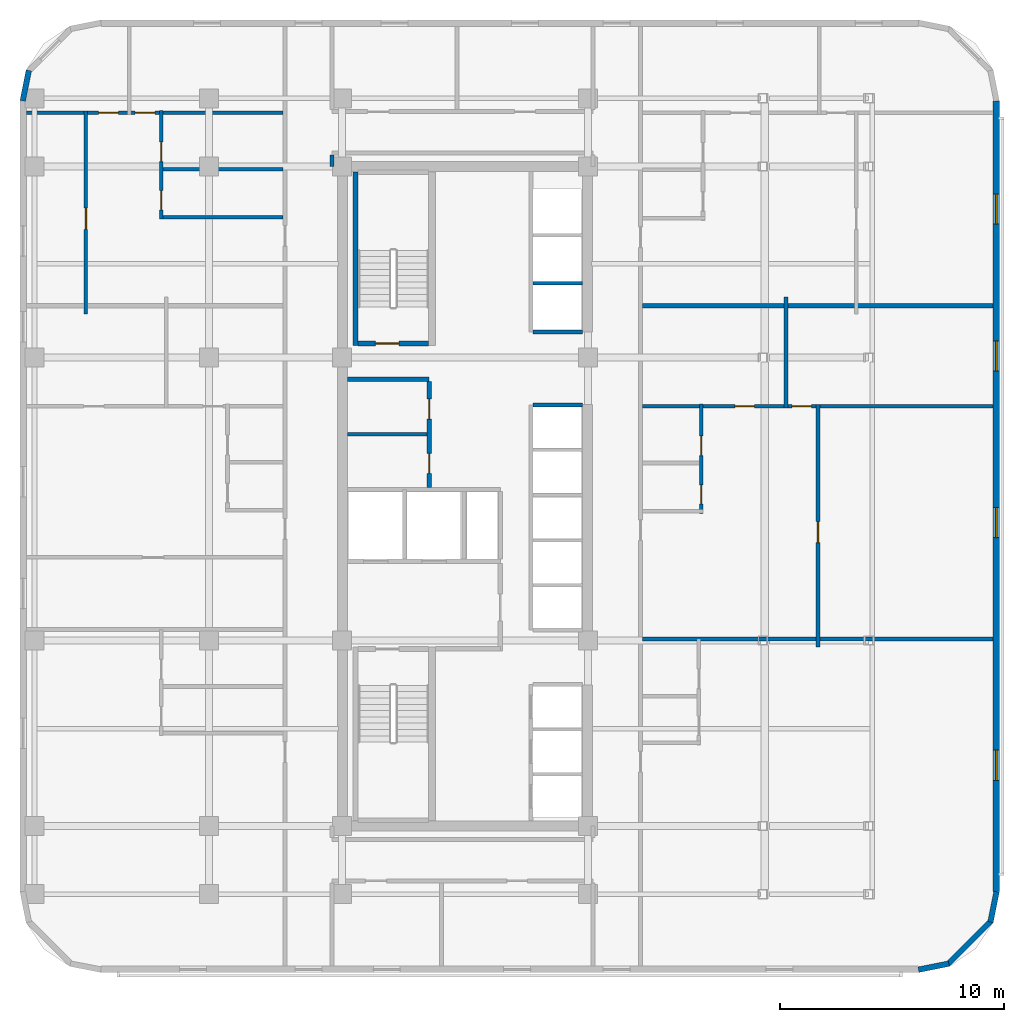
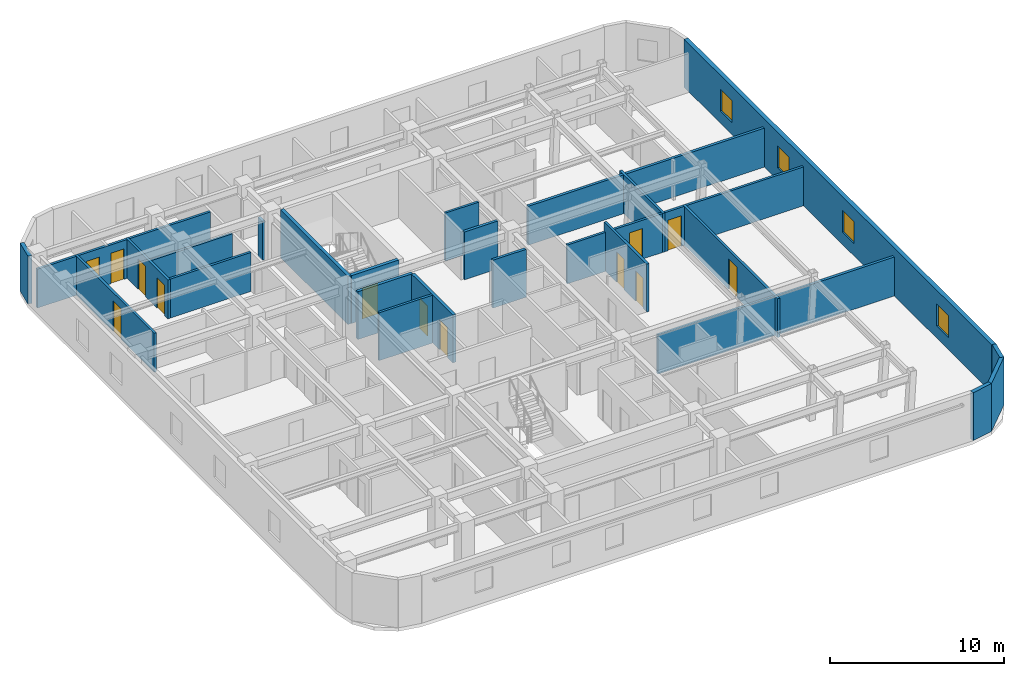
# One storey, part 5 of 11: 25 walls, 13 doors, 4 windows, 17 openings.
"""IFC4 building model written with IfcOpenShell, lengths in metres."""

from ifc_helpers import new_model, si_unit, direction, frame, frame_2d, origin, place, context, subcontext, project, spatial, rectangle, extrude, material, layer, layer_set, type_object, element, fill, save


model = new_model("IFC4")

# Units and contexts
model_context = context("Model", 3, precision=1e-05, world=origin(), true_north=direction((0.0, 1.0)))
body_context = subcontext(model_context, "Body", "Model", "MODEL_VIEW")
ifc_project = project(units=[si_unit("LENGTHUNIT", "METRE"), si_unit("AREAUNIT", "SQUARE_METRE"), si_unit("VOLUMEUNIT", "CUBIC_METRE"), si_unit("PLANEANGLEUNIT", "RADIAN"), si_unit("MASSUNIT", "GRAM", prefix="KILO")], contexts=[model_context])

# Site, building, storey
site_placement = place(None, origin())
site = spatial("IfcSite", under=ifc_project, at=site_placement, CompositionType="ELEMENT")
building_placement = place(site_placement, origin())
building = spatial("IfcBuilding", under=site, at=building_placement, Name="Ochreholt Gables", CompositionType="ELEMENT")
storey_placement = place(building_placement, frame((0.0, 0.0, 87.60009765625)))
storey = spatial("IfcBuildingStorey", under=building, at=storey_placement, Name="L22", CompositionType="ELEMENT", Elevation=87.60009765625)

# Wall, openings, windows
ifc_material_1 = material(Name="Precast concrete 40 MPa", Category="concrete")
ifc_layer_1 = layer(ifc_material_1, 0.280029296875, Name="Precast concrete 40 MPa")
ifc_layer_set_1 = layer_set([ifc_layer_1], Name="Precast concrete 40 MPa")
wall_type_1 = type_object("IfcWallType", Name="WALL-EXT-280", PredefinedType="SOLIDWALL", material=ifc_layer_set_1)
wall_1_placement = place(storey_placement, frame((53.4599609375, 6.320068359375, 0.0), z_axis=(0.0, 0.0, 1.0), x_axis=(0.0, 1.0, 0.0)))
wall_1 = element("IfcWall", 1, at=wall_1_placement, inside=storey, type_object=wall_type_1, Name="L22 East Exterior Wall", PredefinedType="SOLIDWALL", context=body_context, shape_type="SweptSolid", body=[
    extrude(rectangle(XDim=35.35986328125, YDim=0.280029296875, at=frame_2d((17.679931640625, 0.0))), origin(), (0.0, 0.0, 1.0), 3.35986328125),
])
opening_1_placement = place(wall_1_placement, frame((4.969970703125, 0.0, 0.85009765625)))
opening_1 = element("IfcOpeningElement", 2, at=opening_1_placement, cuts=wall_1, Name="Opening WN-8", PredefinedType="OPENING", context=body_context, shape_type="SweptSolid", body=[
    extrude(rectangle(XDim=1.35009765625, YDim=1.550048828125, at=frame_2d((0.675048828125, 0.77490234375))), frame((0.0, 0.14990234375, 0.0), z_axis=(0.0, -1.0, 0.0), x_axis=(1.0, 0.0, 0.0)), (0.0, 0.0, 1.0), 0.300048828125),
])
opening_2_placement = place(wall_1_placement, frame((15.824951171875, 0.0, 0.85009765625)))
opening_2 = element("IfcOpeningElement", 3, at=opening_2_placement, cuts=wall_1, Name="Opening WN-8", PredefinedType="OPENING", context=body_context, shape_type="SweptSolid", body=[
    extrude(rectangle(XDim=1.35009765625, YDim=1.550048828125, at=frame_2d((0.675048828125, 0.77490234375))), frame((0.0, 0.14990234375, 0.0), z_axis=(0.0, -1.0, 0.0), x_axis=(1.0, 0.0, 0.0)), (0.0, 0.0, 1.0), 0.300048828125),
])
opening_3_placement = place(wall_1_placement, frame((23.280029296875, 0.0, 0.85009765625)))
opening_3 = element("IfcOpeningElement", 4, at=opening_3_placement, cuts=wall_1, Name="Opening WN-8", PredefinedType="OPENING", context=body_context, shape_type="SweptSolid", body=[
    extrude(rectangle(XDim=1.35009765625, YDim=1.550048828125, at=frame_2d((0.675048828125, 0.77490234375))), frame((0.0, 0.14990234375, 0.0), z_axis=(0.0, -1.0, 0.0), x_axis=(1.0, 0.0, 0.0)), (0.0, 0.0, 1.0), 0.300048828125),
])
opening_4_placement = place(wall_1_placement, frame((29.844970703125, 0.0, 0.85009765625)))
opening_4 = element("IfcOpeningElement", 5, at=opening_4_placement, cuts=wall_1, Name="Opening WN-8", PredefinedType="OPENING", context=body_context, shape_type="SweptSolid", body=[
    extrude(rectangle(XDim=1.35009765625, YDim=1.550048828125, at=frame_2d((0.675048828125, 0.77490234375))), frame((0.0, 0.14990234375, 0.0), z_axis=(0.0, -1.0, 0.0), x_axis=(1.0, 0.0, 0.0)), (0.0, 0.0, 1.0), 0.300048828125),
])
ifc_material_2 = material(Name="Triple-Glazed Thermally Broken Aluminium Window", Category="aluminium")
window_type = type_object("IfcWindowType", Name="WIN-RES-1350", PartitioningType="SINGLE_PANEL", PredefinedType="WINDOW", material=ifc_material_2)
window_1_placement = place(opening_1_placement, origin())
window_1 = element("IfcWindow", 6, at=window_1_placement, inside=storey, type_object=window_type, Name="L22 Window W-EXT-E-L22-1", OverallHeight=1.550048828125, OverallWidth=1.35009765625, PartitioningType="SINGLE_PANEL", PredefinedType="WINDOW", context=body_context, shape_type="SweptSolid", body=[
    extrude(rectangle(XDim=1.35009765625, YDim=1.550048828125, at=frame_2d((0.675048828125, 0.77490234375))), frame((0.0, 0.030029296875, 0.0), z_axis=(0.0, -1.0, 0.0), x_axis=(1.0, 0.0, 0.0)), (0.0, 0.0, 1.0), 0.06005859375),
])
fill(opening_1, window_1)
window_2_placement = place(opening_2_placement, origin())
window_2 = element("IfcWindow", 7, at=window_2_placement, inside=storey, type_object=window_type, Name="L22 Window W-EXT-E-L22-2", OverallHeight=1.550048828125, OverallWidth=1.35009765625, PartitioningType="SINGLE_PANEL", PredefinedType="WINDOW", context=body_context, shape_type="SweptSolid", body=[
    extrude(rectangle(XDim=1.35009765625, YDim=1.550048828125, at=frame_2d((0.675048828125, 0.77490234375))), frame((0.0, 0.030029296875, 0.0), z_axis=(0.0, -1.0, 0.0), x_axis=(1.0, 0.0, 0.0)), (0.0, 0.0, 1.0), 0.06005859375),
])
fill(opening_2, window_2)
window_3_placement = place(opening_3_placement, origin())
window_3 = element("IfcWindow", 8, at=window_3_placement, inside=storey, type_object=window_type, Name="L22 Window W-EXT-E-L22-3", OverallHeight=1.550048828125, OverallWidth=1.35009765625, PartitioningType="SINGLE_PANEL", PredefinedType="WINDOW", context=body_context, shape_type="SweptSolid", body=[
    extrude(rectangle(XDim=1.35009765625, YDim=1.550048828125, at=frame_2d((0.675048828125, 0.77490234375))), frame((0.0, 0.030029296875, 0.0), z_axis=(0.0, -1.0, 0.0), x_axis=(1.0, 0.0, 0.0)), (0.0, 0.0, 1.0), 0.06005859375),
])
fill(opening_3, window_3)
window_4_placement = place(opening_4_placement, origin())
window_4 = element("IfcWindow", 9, at=window_4_placement, inside=storey, type_object=window_type, Name="L22 Window W-EXT-E-L22-4", OverallHeight=1.550048828125, OverallWidth=1.35009765625, PartitioningType="SINGLE_PANEL", PredefinedType="WINDOW", context=body_context, shape_type="SweptSolid", body=[
    extrude(rectangle(XDim=1.35009765625, YDim=1.550048828125, at=frame_2d((0.675048828125, 0.77490234375))), frame((0.0, 0.030029296875, 0.0), z_axis=(0.0, -1.0, 0.0), x_axis=(1.0, 0.0, 0.0)), (0.0, 0.0, 1.0), 0.06005859375),
])
fill(opening_4, window_4)

# Walls
ifc_layer_2 = layer(ifc_material_1, 0.25, Name="Precast concrete 40 MPa")
ifc_layer_set_2 = layer_set([ifc_layer_2], Name="Precast concrete 40 MPa")
wall_type_2 = type_object("IfcWallType", Name="WALL-EXT-CNR", PredefinedType="SOLIDWALL", material=ifc_layer_set_2)
wall_2_placement = place(storey_placement, frame((49.9833984375, 2.82421875, 0.0), z_axis=(0.0, 0.0, 1.0), x_axis=(0.980809899341, 0.19496651342, 0.0)))
element("IfcWall", 10, at=wall_2_placement, inside=storey, type_object=wall_type_2, Name="L22 Rounded Corner Wall SE-1", PredefinedType="SOLIDWALL", context=body_context, shape_type="SweptSolid", body=[
    extrude(rectangle(XDim=1.388671875, YDim=0.25, at=frame_2d((0.6943359375, 0.0))), origin(), (0.0, 0.0, 1.0), 3.35986328125),
])
wall_3_placement = place(storey_placement, frame((51.294921875, 3.068115234375, 0.0), z_axis=(0.0, 0.0, 1.0), x_axis=(0.707151344399, 0.707062215165, 0.0)))
element("IfcWall", 11, at=wall_3_placement, inside=storey, type_object=wall_type_2, Name="L22 Rounded Corner Wall SE-2", PredefinedType="SOLIDWALL", context=body_context, shape_type="SweptSolid", body=[
    extrude(rectangle(XDim=2.7392578125, YDim=0.25, at=frame_2d((1.36962890625, 0.0))), origin(), (0.0, 0.0, 1.0), 3.35986328125),
])
for number, where, z_axis, x_axis, name in (
    (12, (53.205078125, 4.95458984375, 0.0), (0.0, 0.0, 1.0), (0.195000137217, 0.980803214965, 0.0), "L22 Rounded Corner Wall SE-3"),
    (13, (10.195068359375, 43.04541015625, 0.0), (0.0, 0.0, 1.0), (-0.195000137217, -0.980803214965, 0.0), "L22 Rounded Corner Wall NW-3"),
):
    element("IfcWall", number, at=place(storey_placement, frame(where, z_axis=z_axis, x_axis=x_axis)), inside=storey, type_object=wall_type_2, Name=name, PredefinedType="SOLIDWALL", context=body_context, shape_type="SweptSolid", body=[
        extrude(rectangle(XDim=1.388427734375, YDim=0.25, at=frame_2d((0.6943359375, 0.0))), origin(), (0.0, 0.0, 1.0), 3.35986328125),
    ])
ifc_material_3 = material(Name="Concrete 40 MPa", Category="concrete")
ifc_layer_3 = layer(ifc_material_3, 0.199951171875, Name="Concrete 40 MPa")
ifc_layer_set_3 = layer_set([ifc_layer_3], Name="Concrete 40 MPa")
wall_type_3 = type_object("IfcWallType", Name="WALL-INT-CF200", PredefinedType="STANDARD", material=ifc_layer_set_3)
wall_4_placement = place(storey_placement, frame((24.449951171875, 29.239990234375, 0.0), z_axis=(0.0, 0.0, 1.0), x_axis=(1.0, 0.0, 0.0)))
element("IfcWall", 14, at=wall_4_placement, inside=storey, type_object=wall_type_3, Name="L22 Interior Wall WI-SRVN-L22", PredefinedType="STANDARD", context=body_context, shape_type="SweptSolid", body=[
    extrude(rectangle(XDim=3.650146484375, YDim=0.199951171875, at=frame_2d((1.8251953125, 0.0))), origin(), (0.0, 0.0, 1.0), 3.35986328125),
])

# Wall, openings, doors
wall_5_placement = place(storey_placement, frame((28.10009765625, 24.389892578125, 0.0), z_axis=(0.0, 0.0, 1.0), x_axis=(0.0, 1.0, 0.0)))
wall_5 = element("IfcWall", 15, at=wall_5_placement, inside=storey, type_object=wall_type_3, Name="L22 Interior Wall WI-SRVE-L22", PredefinedType="STANDARD", context=body_context, shape_type="SweptSolid", body=[
    extrude(rectangle(XDim=4.75, YDim=0.199951171875, at=frame_2d((2.375, 0.0))), origin(), (0.0, 0.0, 1.0), 3.35986328125),
])
opening_5_placement = place(wall_5_placement, frame((0.6298828125, 0.0, 0.0)))
opening_5 = element("IfcOpeningElement", 16, at=opening_5_placement, cuts=wall_5, Name="Opening D-SV1", PredefinedType="OPENING", context=body_context, shape_type="SweptSolid", body=[
    extrude(rectangle(XDim=0.89990234375, YDim=2.10009765625, at=frame_2d((0.449951171875, 1.050048828125))), frame((0.0, 0.10986328125, 0.0), z_axis=(0.0, -1.0, 0.0), x_axis=(1.0, 0.0, 0.0)), (0.0, 0.0, 1.0), 0.219970703125),
])
opening_6_placement = place(wall_5_placement, frame((3.06005859375, 0.0, 0.0)))
opening_6 = element("IfcOpeningElement", 17, at=opening_6_placement, cuts=wall_5, Name="Opening D-SV1", PredefinedType="OPENING", context=body_context, shape_type="SweptSolid", body=[
    extrude(rectangle(XDim=0.89990234375, YDim=2.10009765625, at=frame_2d((0.449951171875, 1.050048828125))), frame((0.0, 0.10986328125, 0.0), z_axis=(0.0, -1.0, 0.0), x_axis=(1.0, 0.0, 0.0)), (0.0, 0.0, 1.0), 0.219970703125),
])
ifc_material_4 = material(Name="Hollow Metal Steel", Category="steel")
door_type_1 = type_object("IfcDoorType", Name="DR-INT-SRV900", OperationType="NOTDEFINED", PredefinedType="DOOR", material=ifc_material_4)
door_1_placement = place(opening_5_placement, origin())
door_1 = element("IfcDoor", 18, at=door_1_placement, inside=storey, type_object=door_type_1, Name="L22 Door D-SRV1-L22", OperationType="SINGLE_SWING_LEFT", OverallHeight=2.10009765625, OverallWidth=0.89990234375, PredefinedType="DOOR", context=body_context, shape_type="SweptSolid", body=[
    extrude(rectangle(XDim=0.89990234375, YDim=2.10009765625, at=frame_2d((0.449951171875, 1.050048828125))), frame((0.0, 0.02490234375, 0.0), z_axis=(0.0, -1.0, 0.0), x_axis=(1.0, 0.0, 0.0)), (0.0, 0.0, 1.0), 0.050048828125),
])
fill(opening_5, door_1)
door_2_placement = place(opening_6_placement, origin())
door_2 = element("IfcDoor", 19, at=door_2_placement, inside=storey, type_object=door_type_1, Name="L22 Door D-SRV2-L22", OperationType="SINGLE_SWING_RIGHT", OverallHeight=2.10009765625, OverallWidth=0.89990234375, PredefinedType="DOOR", context=body_context, shape_type="SweptSolid", body=[
    extrude(rectangle(XDim=0.89990234375, YDim=2.10009765625, at=frame_2d((0.449951171875, 1.050048828125))), frame((0.0, 0.02490234375, 0.0), z_axis=(0.0, -1.0, 0.0), x_axis=(1.0, 0.0, 0.0)), (0.0, 0.0, 1.0), 0.050048828125),
])
fill(opening_6, door_2)

# Walls
ifc_material_5 = material(Name="Fire-Rated Gypsum Acoustic Partition", Category="gypsum")
ifc_layer_4 = layer(ifc_material_5, 0.179931640625, Name="Fire-Rated Gypsum Acoustic Partition")
ifc_layer_set_4 = layer_set([ifc_layer_4], Name="Fire-Rated Gypsum Acoustic Partition")
wall_type_4 = type_object("IfcWallType", Name="WALL-INT-CR180", PredefinedType="STANDARD", material=ifc_layer_set_4)
wall_6_placement = place(storey_placement, frame((23.75, 38.75, 0.0), z_axis=(0.0, 0.0, 1.0), x_axis=(0.0, 1.0, 0.0)))
element("IfcWall", 20, at=wall_6_placement, inside=storey, type_object=wall_type_4, Name="L22 Interior Wall WI-C1NWA2-L22", PredefinedType="STANDARD", context=body_context, shape_type="SweptSolid", body=[
    extrude(rectangle(XDim=0.510009765625, YDim=0.179931640625, at=frame_2d((0.2548828125, 0.0))), origin(), (0.0, 0.0, 1.0), 2.73095703125),
])
ifc_material_6 = material(Name="Double-Stud Acoustic Demising Wall", Category="gypsum")
ifc_layer_5 = layer(ifc_material_6, 0.179931640625, Name="Double-Stud Acoustic Demising Wall")
ifc_layer_set_5 = layer_set([ifc_layer_5], Name="Double-Stud Acoustic Demising Wall")
wall_type_5 = type_object("IfcWallType", Name="WALL-INT-DM180", PredefinedType="PARTITIONING", material=ifc_layer_set_5)
for number, where, z_axis, x_axis, name in (
    (21, (37.639892578125, 17.610107421875, 0.0), (0.0, 0.0, 1.0), (1.0, 0.0, 0.0), "L22 Interior Wall WI-UDE2-L22"),
    (22, (37.639892578125, 32.52001953125, 0.0), (0.0, 0.0, 1.0), (1.0, 0.0, 0.0), "L22 Interior Wall WI-UDE3-L22"),
):
    element("IfcWall", number, at=place(storey_placement, frame(where, z_axis=z_axis, x_axis=x_axis)), inside=storey, type_object=wall_type_5, Name=name, PredefinedType="PARTITIONING", context=body_context, shape_type="SweptSolid", body=[
        extrude(rectangle(XDim=15.68017578125, YDim=0.179931640625, at=frame_2d((7.840087890625, 0.0))), origin(), (0.0, 0.0, 1.0), 2.73095703125),
    ])

# Wall, openings, doors
ifc_material_7 = material(Name="Moisture-Resistant Plumbing Chase Wall", Category="gypsum")
ifc_layer_6 = layer(ifc_material_7, 0.159912109375, Name="Moisture-Resistant Plumbing Chase Wall")
ifc_layer_set_6 = layer_set([ifc_layer_6], Name="Moisture-Resistant Plumbing Chase Wall")
wall_type_6 = type_object("IfcWallType", Name="WALL-INT-PL160", PredefinedType="PLUMBINGWALL", material=ifc_layer_set_6)
wall_7_placement = place(storey_placement, frame((40.27197265625, 23.23291015625, 0.0), z_axis=(0.0, 0.0, 1.0), x_axis=(0.0, 1.0, 0.0)))
wall_7 = element("IfcWall", 23, at=wall_7_placement, inside=storey, type_object=wall_type_6, Name="L22 Interior Wall WU-L22E2-WX", PredefinedType="PLUMBINGWALL", context=body_context, shape_type="SweptSolid", body=[
    extrude(rectangle(XDim=4.88720703125, YDim=0.159912109375, at=frame_2d((2.443603515625, 0.0))), origin(), (0.0, 0.0, 1.0), 3.35986328125),
])
opening_7_placement = place(wall_7_placement, frame((0.419921875, 0.0, 0.0)))
opening_7 = element("IfcOpeningElement", 24, at=opening_7_placement, cuts=wall_7, Name="Opening D-BT1", PredefinedType="OPENING", context=body_context, shape_type="SweptSolid", body=[
    extrude(rectangle(XDim=0.860107421875, YDim=2.1201171875, at=frame_2d((0.43017578125, 1.06005859375))), frame((0.0, 0.08984375, 0.0), z_axis=(0.0, -1.0, 0.0), x_axis=(1.0, 0.0, 0.0)), (0.0, 0.0, 1.0), 0.179931640625),
])
opening_8_placement = place(wall_7_placement, frame((2.585205078125, 0.0, 0.0)))
opening_8 = element("IfcOpeningElement", 25, at=opening_8_placement, cuts=wall_7, Name="Opening D-GN2", PredefinedType="OPENING", context=body_context, shape_type="SweptSolid", body=[
    extrude(rectangle(XDim=0.8798828125, YDim=2.1201171875, at=frame_2d((0.43994140625, 1.06005859375))), frame((0.0, 0.08984375, 0.0), z_axis=(0.0, -1.0, 0.0), x_axis=(1.0, 0.0, 0.0)), (0.0, 0.0, 1.0), 0.179931640625),
])
ifc_material_8 = material(Name="Engineered Oak Timber", Category="wood")
door_type_2 = type_object("IfcDoorType", Name="DR-INT-BTH860", OperationType="NOTDEFINED", PredefinedType="DOOR", material=ifc_material_8)
door_3_placement = place(opening_7_placement, origin())
door_3 = element("IfcDoor", 26, at=door_3_placement, inside=storey, type_object=door_type_2, Name="L22 Door D-U-L22E2-BTH", OperationType="SINGLE_SWING_RIGHT", OverallHeight=2.1201171875, OverallWidth=0.860107421875, PredefinedType="DOOR", context=body_context, shape_type="SweptSolid", body=[
    extrude(rectangle(XDim=0.860107421875, YDim=2.1201171875, at=frame_2d((0.43017578125, 1.06005859375))), frame((0.0, 0.02490234375, 0.0), z_axis=(0.0, -1.0, 0.0), x_axis=(1.0, 0.0, 0.0)), (0.0, 0.0, 1.0), 0.050048828125),
])
fill(opening_7, door_3)
door_type_3 = type_object("IfcDoorType", Name="DR-INT-GEN880", OperationType="NOTDEFINED", PredefinedType="DOOR", material=ifc_material_8)
door_4_placement = place(opening_8_placement, origin())
door_4 = element("IfcDoor", 27, at=door_4_placement, inside=storey, type_object=door_type_3, Name="L22 Door D-U-L22E2-KIT", OperationType="SINGLE_SWING_LEFT", OverallHeight=2.1201171875, OverallWidth=0.8798828125, PredefinedType="DOOR", context=body_context, shape_type="SweptSolid", body=[
    extrude(rectangle(XDim=0.8798828125, YDim=2.1201171875, at=frame_2d((0.43994140625, 1.06005859375))), frame((0.0, 0.02490234375, 0.0), z_axis=(0.0, -1.0, 0.0), x_axis=(1.0, 0.0, 0.0)), (0.0, 0.0, 1.0), 0.050048828125),
])
fill(opening_8, door_4)

# Wall
wall_8_placement = place(storey_placement, frame((16.030029296875, 36.4814453125, 0.0), z_axis=(0.0, 0.0, 1.0), x_axis=(1.0, 0.0, 0.0)))
element("IfcWall", 28, at=wall_8_placement, inside=storey, type_object=wall_type_6, Name="L22 Interior Wall WU-L22W3-FYS", PredefinedType="PLUMBINGWALL", context=body_context, shape_type="SweptSolid", body=[
    extrude(rectangle(XDim=5.530029296875, YDim=0.159912109375, at=frame_2d((2.76513671875, 0.0))), origin(), (0.0, 0.0, 1.0), 2.73095703125),
])

# Wall, openings, doors
wall_9_placement = place(storey_placement, frame((16.110107421875, 36.3916015625, 0.0), z_axis=(0.0, 0.0, 1.0), x_axis=(0.0, 1.0, 0.0)))
wall_9 = element("IfcWall", 29, at=wall_9_placement, inside=storey, type_object=wall_type_6, Name="L22 Interior Wall WU-L22W3-WX", PredefinedType="PLUMBINGWALL", context=body_context, shape_type="SweptSolid", body=[
    extrude(rectangle(XDim=4.8583984375, YDim=0.159912109375, at=frame_2d((2.42919921875, 0.0))), origin(), (0.0, 0.0, 1.0), 2.73095703125),
])
opening_9_placement = place(wall_9_placement, frame((0.419921875, 0.0, 0.0)))
opening_9 = element("IfcOpeningElement", 30, at=opening_9_placement, cuts=wall_9, Name="Opening D-BT1", PredefinedType="OPENING", context=body_context, shape_type="SweptSolid", body=[
    extrude(rectangle(XDim=0.860107421875, YDim=2.1201171875, at=frame_2d((0.43017578125, 1.06005859375))), frame((0.0, 0.08984375, 0.0), z_axis=(0.0, -1.0, 0.0), x_axis=(1.0, 0.0, 0.0)), (0.0, 0.0, 1.0), 0.179931640625),
])
opening_10_placement = place(wall_9_placement, frame((2.572021484375, 0.0, 0.0)))
opening_10 = element("IfcOpeningElement", 31, at=opening_10_placement, cuts=wall_9, Name="Opening D-GN2", PredefinedType="OPENING", context=body_context, shape_type="SweptSolid", body=[
    extrude(rectangle(XDim=0.8798828125, YDim=2.1201171875, at=frame_2d((0.43994140625, 1.06005859375))), frame((0.0, 0.08984375, 0.0), z_axis=(0.0, -1.0, 0.0), x_axis=(1.0, 0.0, 0.0)), (0.0, 0.0, 1.0), 0.179931640625),
])
door_5_placement = place(opening_9_placement, origin())
door_5 = element("IfcDoor", 32, at=door_5_placement, inside=storey, type_object=door_type_2, Name="L22 Door D-U-L22W3-BTH", OperationType="SINGLE_SWING_RIGHT", OverallHeight=2.1201171875, OverallWidth=0.860107421875, PredefinedType="DOOR", context=body_context, shape_type="SweptSolid", body=[
    extrude(rectangle(XDim=0.860107421875, YDim=2.1201171875, at=frame_2d((0.43017578125, 1.06005859375))), frame((0.0, 0.02490234375, 0.0), z_axis=(0.0, -1.0, 0.0), x_axis=(1.0, 0.0, 0.0)), (0.0, 0.0, 1.0), 0.050048828125),
])
fill(opening_9, door_5)
door_6_placement = place(opening_10_placement, origin())
door_6 = element("IfcDoor", 33, at=door_6_placement, inside=storey, type_object=door_type_3, Name="L22 Door D-U-L22W3-KIT", OperationType="SINGLE_SWING_LEFT", OverallHeight=2.1201171875, OverallWidth=0.8798828125, PredefinedType="DOOR", context=body_context, shape_type="SweptSolid", body=[
    extrude(rectangle(XDim=0.8798828125, YDim=2.1201171875, at=frame_2d((0.43994140625, 1.06005859375))), frame((0.0, 0.02490234375, 0.0), z_axis=(0.0, -1.0, 0.0), x_axis=(1.0, 0.0, 0.0)), (0.0, 0.0, 1.0), 0.050048828125),
])
fill(opening_10, door_6)

# Walls
wall_10_placement = place(storey_placement, frame((16.18994140625, 38.633544921875, 0.0), z_axis=(0.0, 0.0, 1.0), x_axis=(1.0, 0.0, 0.0)))
element("IfcWall", 34, at=wall_10_placement, inside=storey, type_object=wall_type_6, Name="L22 Interior Wall WU-L22W3-WK", PredefinedType="PLUMBINGWALL", context=body_context, shape_type="SweptSolid", body=[
    extrude(rectangle(XDim=5.3701171875, YDim=0.159912109375, at=frame_2d((2.68505859375, 0.0))), origin(), (0.0, 0.0, 1.0), 2.73095703125),
])
ifc_material_9 = material(Name="Gypsum Acoustic Stud Partition", Category="gypsum")
ifc_layer_7 = layer(ifc_material_9, 0.159912109375, Name="Gypsum Acoustic Stud Partition")
ifc_layer_set_7 = layer_set([ifc_layer_7], Name="Gypsum Acoustic Stud Partition")
wall_type_7 = type_object("IfcWallType", Name="WALL-INT-PT160", PredefinedType="PARTITIONING", material=ifc_layer_set_7)
wall_11_placement = place(storey_placement, frame((24.449951171875, 26.780029296875, 0.0), z_axis=(0.0, 0.0, 1.0), x_axis=(1.0, 0.0, 0.0)))
element("IfcWall", 35, at=wall_11_placement, inside=storey, type_object=wall_type_7, Name="L22 Interior Wall WI-SRVP1-L22", PredefinedType="PARTITIONING", context=body_context, shape_type="SweptSolid", body=[
    extrude(rectangle(XDim=3.550048828125, YDim=0.159912109375, at=frame_2d((1.77490234375, 0.0))), origin(), (0.0, 0.0, 1.0), 3.35986328125),
])

# Wall, openings, doors
wall_12_placement = place(storey_placement, frame((37.639892578125, 28.030029296875, 0.0), z_axis=(0.0, 0.0, 1.0), x_axis=(1.0, 0.0, 0.0)))
wall_12 = element("IfcWall", 36, at=wall_12_placement, inside=storey, type_object=wall_type_7, Name="L22 Interior Wall WU-L22E2-MN", PredefinedType="PARTITIONING", context=body_context, shape_type="SweptSolid", body=[
    extrude(rectangle(XDim=15.68017578125, YDim=0.159912109375, at=frame_2d((7.840087890625, 0.0))), origin(), (0.0, 0.0, 1.0), 2.73095703125),
])
opening_11_placement = place(wall_12_placement, frame((4.131103515625, 0.0, 0.0)))
opening_11 = element("IfcOpeningElement", 37, at=opening_11_placement, cuts=wall_12, Name="Opening D-BD2", PredefinedType="OPENING", context=body_context, shape_type="SweptSolid", body=[
    extrude(rectangle(XDim=0.8798828125, YDim=2.139892578125, at=frame_2d((0.43994140625, 1.06982421875))), frame((0.0, 0.08984375, 0.0), z_axis=(0.0, -1.0, 0.0), x_axis=(1.0, 0.0, 0.0)), (0.0, 0.0, 1.0), 0.179931640625),
])
opening_12_placement = place(wall_12_placement, frame((6.6904296875, 0.0, 0.0)))
opening_12 = element("IfcOpeningElement", 38, at=opening_12_placement, cuts=wall_12, Name="Opening D-BD2", PredefinedType="OPENING", context=body_context, shape_type="SweptSolid", body=[
    extrude(rectangle(XDim=0.8798828125, YDim=2.139892578125, at=frame_2d((0.43994140625, 1.06982421875))), frame((0.0, 0.08984375, 0.0), z_axis=(0.0, -1.0, 0.0), x_axis=(1.0, 0.0, 0.0)), (0.0, 0.0, 1.0), 0.179931640625),
])
door_type_4 = type_object("IfcDoorType", Name="DR-INT-BED880", OperationType="NOTDEFINED", PredefinedType="DOOR", material=ifc_material_8)
door_7_placement = place(opening_11_placement, origin())
door_7 = element("IfcDoor", 39, at=door_7_placement, inside=storey, type_object=door_type_4, Name="L22 Door D-U-L22E2-BD1", OperationType="SINGLE_SWING_LEFT", OverallHeight=2.139892578125, OverallWidth=0.8798828125, PredefinedType="DOOR", context=body_context, shape_type="SweptSolid", body=[
    extrude(rectangle(XDim=0.8798828125, YDim=2.139892578125, at=frame_2d((0.43994140625, 1.06982421875))), frame((0.0, 0.02490234375, 0.0), z_axis=(0.0, -1.0, 0.0), x_axis=(1.0, 0.0, 0.0)), (0.0, 0.0, 1.0), 0.050048828125),
])
fill(opening_11, door_7)
door_8_placement = place(opening_12_placement, origin())
door_8 = element("IfcDoor", 40, at=door_8_placement, inside=storey, type_object=door_type_4, Name="L22 Door D-U-L22E2-BD2", OperationType="SINGLE_SWING_RIGHT", OverallHeight=2.139892578125, OverallWidth=0.8798828125, PredefinedType="DOOR", context=body_context, shape_type="SweptSolid", body=[
    extrude(rectangle(XDim=0.8798828125, YDim=2.139892578125, at=frame_2d((0.43994140625, 1.06982421875))), frame((0.0, 0.02490234375, 0.0), z_axis=(0.0, -1.0, 0.0), x_axis=(1.0, 0.0, 0.0)), (0.0, 0.0, 1.0), 0.050048828125),
])
fill(opening_12, door_8)

# Wall, opening, door
wall_13_placement = place(storey_placement, frame((45.490478515625, 17.25, 0.0), z_axis=(0.0, 0.0, 1.0), x_axis=(0.0, 1.0, 0.0)))
wall_13 = element("IfcWall", 41, at=wall_13_placement, inside=storey, type_object=wall_type_7, Name="L22 Interior Wall WU-L22E2-DNV", PredefinedType="PARTITIONING", context=body_context, shape_type="SweptSolid", body=[
    extrude(rectangle(XDim=10.860107421875, YDim=0.159912109375, at=frame_2d((5.43017578125, 0.0))), origin(), (0.0, 0.0, 1.0), 2.73095703125),
])
opening_13_placement = place(wall_13_placement, frame((4.669921875, 0.0, 0.0)))
opening_13 = element("IfcOpeningElement", 42, at=opening_13_placement, cuts=wall_13, Name="Opening D-GN1", PredefinedType="OPENING", context=body_context, shape_type="SweptSolid", body=[
    extrude(rectangle(XDim=0.949951171875, YDim=2.14990234375, at=frame_2d((0.47509765625, 1.074951171875))), frame((0.0, 0.08984375, 0.0), z_axis=(0.0, -1.0, 0.0), x_axis=(1.0, 0.0, 0.0)), (0.0, 0.0, 1.0), 0.179931640625),
])
door_type_5 = type_object("IfcDoorType", Name="DR-INT-GEN950", OperationType="NOTDEFINED", PredefinedType="DOOR", material=ifc_material_8)
door_9_placement = place(opening_13_placement, origin())
door_9 = element("IfcDoor", 43, at=door_9_placement, inside=storey, type_object=door_type_5, Name="L22 Door D-U-L22E2-DIN", OperationType="SINGLE_SWING_RIGHT", OverallHeight=2.14990234375, OverallWidth=0.949951171875, PredefinedType="DOOR", context=body_context, shape_type="SweptSolid", body=[
    extrude(rectangle(XDim=0.949951171875, YDim=2.14990234375, at=frame_2d((0.47509765625, 1.074951171875))), frame((0.0, 0.02490234375, 0.0), z_axis=(0.0, -1.0, 0.0), x_axis=(1.0, 0.0, 0.0)), (0.0, 0.0, 1.0), 0.050048828125),
])
fill(opening_13, door_9)

# Wall
wall_14_placement = place(storey_placement, frame((44.060546875, 27.949951171875, 0.0), z_axis=(0.0, 0.0, 1.0), x_axis=(0.0, 1.0, 0.0)))
element("IfcWall", 44, at=wall_14_placement, inside=storey, type_object=wall_type_7, Name="L22 Interior Wall WU-L22E2-BSD", PredefinedType="PARTITIONING", context=body_context, shape_type="SweptSolid", body=[
    extrude(rectangle(XDim=4.9599609375, YDim=0.159912109375, at=frame_2d((2.47998046875, 0.0))), origin(), (0.0, 0.0, 1.0), 2.73095703125),
])

# Wall, openings, doors
wall_15_placement = place(storey_placement, frame((10.080078125, 41.159912109375, 0.0), z_axis=(0.0, 0.0, 1.0), x_axis=(1.0, 0.0, 0.0)))
wall_15 = element("IfcWall", 45, at=wall_15_placement, inside=storey, type_object=wall_type_7, Name="L22 Interior Wall WU-L22W3-MN", PredefinedType="PARTITIONING", context=body_context, shape_type="SweptSolid", body=[
    extrude(rectangle(XDim=11.47998046875, YDim=0.159912109375, at=frame_2d((5.739990234375, 0.0))), origin(), (0.0, 0.0, 1.0), 2.73095703125),
])
opening_14_placement = place(wall_15_placement, frame((3.239990234375, 0.0, 0.0)))
opening_14 = element("IfcOpeningElement", 46, at=opening_14_placement, cuts=wall_15, Name="Opening D-BD2", PredefinedType="OPENING", context=body_context, shape_type="SweptSolid", body=[
    extrude(rectangle(XDim=0.8798828125, YDim=2.139892578125, at=frame_2d((0.43994140625, 1.06982421875))), frame((0.0, 0.08984375, 0.0), z_axis=(0.0, -1.0, 0.0), x_axis=(1.0, 0.0, 0.0)), (0.0, 0.0, 1.0), 0.179931640625),
])
opening_15_placement = place(wall_15_placement, frame((4.8701171875, 0.0, 0.0)))
opening_15 = element("IfcOpeningElement", 47, at=opening_15_placement, cuts=wall_15, Name="Opening D-BD2", PredefinedType="OPENING", context=body_context, shape_type="SweptSolid", body=[
    extrude(rectangle(XDim=0.8798828125, YDim=2.139892578125, at=frame_2d((0.43994140625, 1.06982421875))), frame((0.0, 0.08984375, 0.0), z_axis=(0.0, -1.0, 0.0), x_axis=(1.0, 0.0, 0.0)), (0.0, 0.0, 1.0), 0.179931640625),
])
door_10_placement = place(opening_14_placement, origin())
door_10 = element("IfcDoor", 48, at=door_10_placement, inside=storey, type_object=door_type_4, Name="L22 Door D-U-L22W3-BD1", OperationType="SINGLE_SWING_LEFT", OverallHeight=2.139892578125, OverallWidth=0.8798828125, PredefinedType="DOOR", context=body_context, shape_type="SweptSolid", body=[
    extrude(rectangle(XDim=0.8798828125, YDim=2.139892578125, at=frame_2d((0.43994140625, 1.06982421875))), frame((0.0, 0.02490234375, 0.0), z_axis=(0.0, -1.0, 0.0), x_axis=(1.0, 0.0, 0.0)), (0.0, 0.0, 1.0), 0.050048828125),
])
fill(opening_14, door_10)
door_11_placement = place(opening_15_placement, origin())
door_11 = element("IfcDoor", 49, at=door_11_placement, inside=storey, type_object=door_type_4, Name="L22 Door D-U-L22W3-BD2", OperationType="SINGLE_SWING_RIGHT", OverallHeight=2.139892578125, OverallWidth=0.8798828125, PredefinedType="DOOR", context=body_context, shape_type="SweptSolid", body=[
    extrude(rectangle(XDim=0.8798828125, YDim=2.139892578125, at=frame_2d((0.43994140625, 1.06982421875))), frame((0.0, 0.02490234375, 0.0), z_axis=(0.0, -1.0, 0.0), x_axis=(1.0, 0.0, 0.0)), (0.0, 0.0, 1.0), 0.050048828125),
])
fill(opening_15, door_11)

# Wall, opening, door
wall_16_placement = place(storey_placement, frame((12.75, 32.159912109375, 0.0), z_axis=(0.0, 0.0, 1.0), x_axis=(0.0, 1.0, 0.0)))
wall_16 = element("IfcWall", 50, at=wall_16_placement, inside=storey, type_object=wall_type_7, Name="L22 Interior Wall WU-L22W3-DNV", PredefinedType="PARTITIONING", context=body_context, shape_type="SweptSolid", body=[
    extrude(rectangle(XDim=9.080078125, YDim=0.159912109375, at=frame_2d((4.5400390625, 0.0))), origin(), (0.0, 0.0, 1.0), 2.73095703125),
])
opening_16_placement = place(wall_16_placement, frame((3.780029296875, 0.0, 0.0)))
opening_16 = element("IfcOpeningElement", 51, at=opening_16_placement, cuts=wall_16, Name="Opening D-GN1", PredefinedType="OPENING", context=body_context, shape_type="SweptSolid", body=[
    extrude(rectangle(XDim=0.949951171875, YDim=2.14990234375, at=frame_2d((0.47509765625, 1.074951171875))), frame((0.0, 0.08984375, 0.0), z_axis=(0.0, -1.0, 0.0), x_axis=(1.0, 0.0, 0.0)), (0.0, 0.0, 1.0), 0.179931640625),
])
door_12_placement = place(opening_16_placement, origin())
door_12 = element("IfcDoor", 52, at=door_12_placement, inside=storey, type_object=door_type_5, Name="L22 Door D-U-L22W3-DIN", OperationType="SINGLE_SWING_RIGHT", OverallHeight=2.14990234375, OverallWidth=0.949951171875, PredefinedType="DOOR", context=body_context, shape_type="SweptSolid", body=[
    extrude(rectangle(XDim=0.949951171875, YDim=2.14990234375, at=frame_2d((0.47509765625, 1.074951171875))), frame((0.0, 0.02490234375, 0.0), z_axis=(0.0, -1.0, 0.0), x_axis=(1.0, 0.0, 0.0)), (0.0, 0.0, 1.0), 0.050048828125),
])
fill(opening_16, door_12)

# Walls
ifc_material_10 = material(Name="Gypsum Shaftliner and Steel Stud", Category="steel")
ifc_layer_8 = layer(ifc_material_10, 0.14990234375, Name="Gypsum Shaftliner and Steel Stud")
ifc_layer_set_8 = layer_set([ifc_layer_8], Name="Gypsum Shaftliner and Steel Stud")
wall_type_8 = type_object("IfcWallType", Name="WALL-INT-SH150", PredefinedType="STANDARD", material=ifc_layer_set_8)
wall_17_placement = place(storey_placement, frame((32.739990234375, 33.52001953125, 0.0), z_axis=(0.0, 0.0, 1.0), x_axis=(1.0, 0.0, 0.0)))
element("IfcWall", 53, at=wall_17_placement, inside=storey, type_object=wall_type_8, Name="L22 Interior Wall WI-LFM-D1-L22", PredefinedType="STANDARD", context=body_context, shape_type="SweptSolid", body=[
    extrude(rectangle(XDim=2.2099609375, YDim=0.14990234375, at=frame_2d((1.10498046875, 0.0))), origin(), (0.0, 0.0, 1.0), 3.35986328125),
])
ifc_layer_9 = layer(ifc_material_10, 0.179931640625, Name="Gypsum Shaftliner and Steel Stud")
ifc_layer_set_9 = layer_set([ifc_layer_9], Name="Gypsum Shaftliner and Steel Stud")
wall_type_9 = type_object("IfcWallType", Name="WALL-INT-SH180", PredefinedType="STANDARD", material=ifc_layer_set_9)
for number, where, z_axis, x_axis, name in (
    (54, (32.739990234375, 28.080078125, 0.0), (0.0, 0.0, 1.0), (1.0, 0.0, 0.0), "L22 Interior Wall WI-LFHE-N-L22"),
    (55, (32.739990234375, 31.35009765625, 0.0), (0.0, 0.0, 1.0), (1.0, 0.0, 0.0), "L22 Interior Wall WI-LFM-S-L22"),
):
    element("IfcWall", number, at=place(storey_placement, frame(where, z_axis=z_axis, x_axis=x_axis)), inside=storey, type_object=wall_type_9, Name=name, PredefinedType="STANDARD", context=body_context, shape_type="SweptSolid", body=[
        extrude(rectangle(XDim=2.2099609375, YDim=0.179931640625, at=frame_2d((1.10498046875, 0.0))), origin(), (0.0, 0.0, 1.0), 3.35986328125),
    ])
ifc_material_11 = material(Name="Concrete 50 MPa", Category="concrete")
ifc_layer_10 = layer(ifc_material_11, 0.219970703125, Name="Concrete 50 MPa")
ifc_layer_set_10 = layer_set([ifc_layer_10], Name="Concrete 50 MPa")
wall_type_10 = type_object("IfcWallType", Name="WALL-STW-220", PredefinedType="SHEAR", material=ifc_layer_set_10)
wall_18_placement = place(storey_placement, frame((24.81005859375, 30.739990234375, 0.0), z_axis=(0.0, 0.0, 1.0), x_axis=(0.0, 1.0, 0.0)))
element("IfcWall", 56, at=wall_18_placement, inside=storey, type_object=wall_type_10, Name="L22 Exit Stair 2 West Wall", PredefinedType="SHEAR", context=body_context, shape_type="SweptSolid", body=[
    extrude(rectangle(XDim=7.760009765625, YDim=0.219970703125, at=frame_2d((3.8798828125, 0.0))), origin(), (0.0, 0.0, 1.0), 3.35986328125),
])

# Wall, opening, door
wall_19_placement = place(storey_placement, frame((24.919921875, 30.830078125, 0.0), z_axis=(0.0, 0.0, 1.0), x_axis=(1.0, 0.0, 0.0)))
wall_19 = element("IfcWall", 57, at=wall_19_placement, inside=storey, type_object=wall_type_10, Name="L22 Exit Stair 2 South Wall", PredefinedType="SHEAR", context=body_context, shape_type="SweptSolid", body=[
    extrude(rectangle(XDim=3.16015625, YDim=0.219970703125, at=frame_2d((1.580078125, 0.0))), origin(), (0.0, 0.0, 1.0), 3.35986328125),
])
opening_17_placement = place(wall_19_placement, frame((0.780029296875, 0.0, 0.0)))
opening_17 = element("IfcOpeningElement", 58, at=opening_17_placement, cuts=wall_19, Name="Opening D-STC", PredefinedType="OPENING", context=body_context, shape_type="SweptSolid", body=[
    extrude(rectangle(XDim=1.050048828125, YDim=2.14990234375, at=frame_2d((0.52490234375, 1.074951171875))), frame((0.0, 0.119873046875, 0.0), z_axis=(0.0, -1.0, 0.0), x_axis=(1.0, 0.0, 0.0)), (0.0, 0.0, 1.0), 0.239990234375),
])
door_type_6 = type_object("IfcDoorType", Name="DR-INT-ST1050", OperationType="NOTDEFINED", PredefinedType="DOOR", material=ifc_material_4)
door_13_placement = place(opening_17_placement, origin())
door_13 = element("IfcDoor", 59, at=door_13_placement, inside=storey, type_object=door_type_6, Name="L22 Door D-ST2-L22", OperationType="SINGLE_SWING_RIGHT", OverallHeight=2.14990234375, OverallWidth=1.050048828125, PredefinedType="DOOR", context=body_context, shape_type="SweptSolid", body=[
    extrude(rectangle(XDim=1.050048828125, YDim=2.14990234375, at=frame_2d((0.52490234375, 1.074951171875))), frame((0.0, 0.02490234375, 0.0), z_axis=(0.0, -1.0, 0.0), x_axis=(1.0, 0.0, 0.0)), (0.0, 0.0, 1.0), 0.050048828125),
])
fill(opening_17, door_13)

save(model, "model.ifc")
